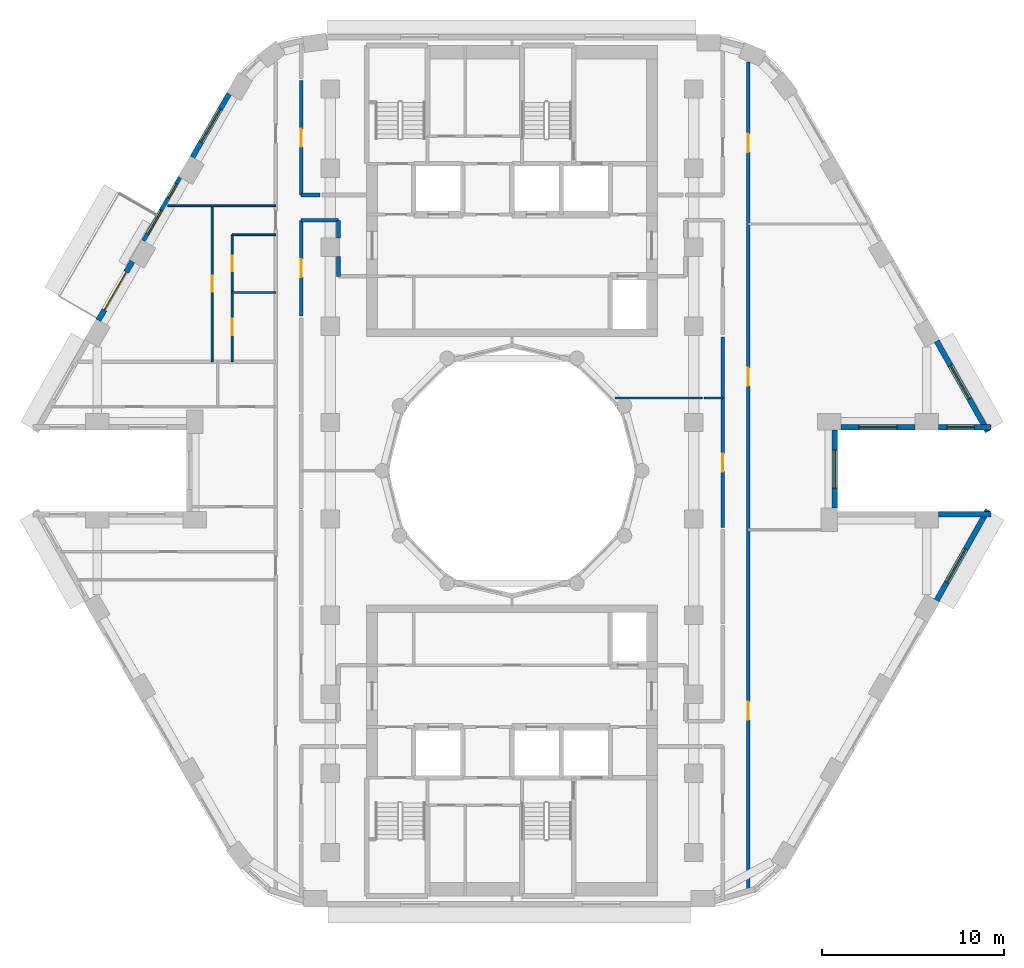
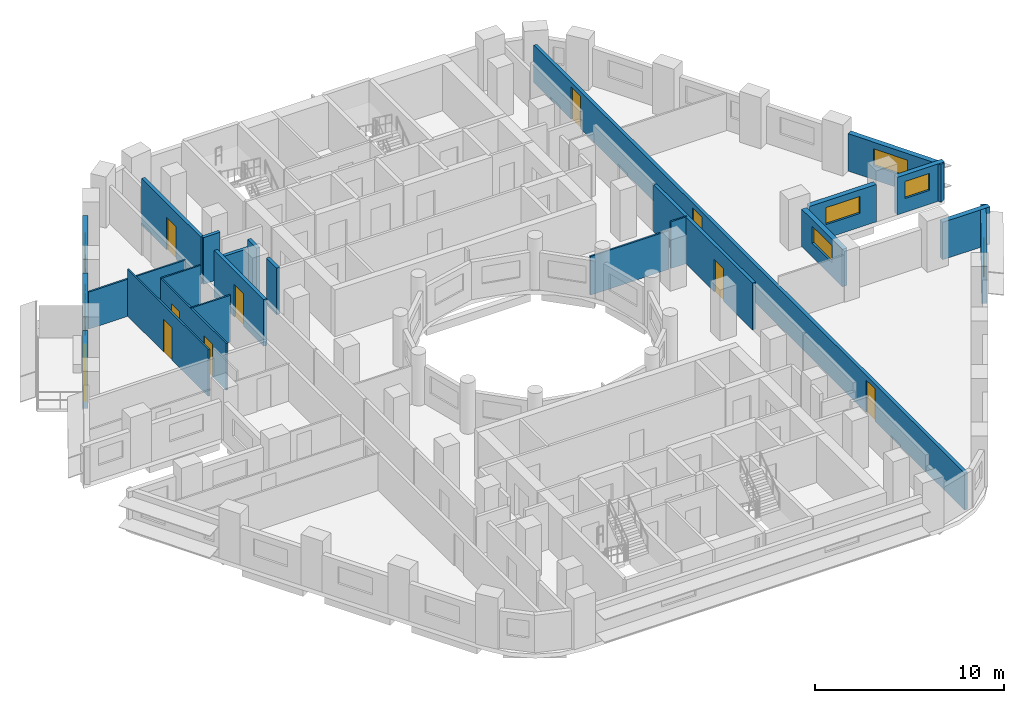
# One storey, part 6 of 13: 24 walls, 10 doors, 8 windows, 18 openings.
"""IFC4 building model written with IfcOpenShell, lengths in metres."""

from ifc_helpers import new_model, si_unit, direction, frame, frame_2d, origin, place, context, subcontext, project, spatial, rectangle, extrude, material, layer, layer_set, type_object, element, fill, save


model = new_model("IFC4")

# Units and contexts
model_context = context("Model", 3, precision=1e-05, world=origin(), true_north=direction((0.0, 1.0)))
body_context = subcontext(model_context, "Body", "Model", "MODEL_VIEW")
ifc_project = project(units=[si_unit("LENGTHUNIT", "METRE"), si_unit("AREAUNIT", "SQUARE_METRE"), si_unit("VOLUMEUNIT", "CUBIC_METRE"), si_unit("PLANEANGLEUNIT", "RADIAN"), si_unit("MASSUNIT", "GRAM", prefix="KILO")], contexts=[model_context])

# Site, building, storey
site_placement = place(None, origin())
site = spatial("IfcSite", under=ifc_project, at=site_placement, CompositionType="ELEMENT")
building_placement = place(site_placement, origin())
building = spatial("IfcBuilding", under=site, at=building_placement, Name="Nakaniwa Court", CompositionType="ELEMENT")
storey_placement = place(building_placement, frame((0.0, 0.0, 130.5)))
storey = spatial("IfcBuildingStorey", under=building, at=storey_placement, Name="L33", CompositionType="ELEMENT", Elevation=130.5)

# Wall, opening, door
ifc_material_1 = material(Name="Acoustic double stud partition")
ifc_layer_1 = layer(ifc_material_1, 0.199951171875)
ifc_layer_set_1 = layer_set([ifc_layer_1], Name="Acoustic double stud partition")
wall_type_1 = type_object("IfcWallType", Name="Acoustic double stud partition 200", PredefinedType="PARTITIONING", material=ifc_layer_set_1)
wall_1_placement = place(storey_placement, frame((91.60009765625, 76.88720703125, 0.0), z_axis=(0.0, 0.0, 1.0), x_axis=(0.0, 1.0, 0.0)))
wall_1 = element("IfcWall", 1, at=wall_1_placement, inside=storey, type_object=wall_type_1, Name="Partition PW-069", PredefinedType="PARTITIONING", context=body_context, shape_type="SweptSolid", body=[
    extrude(rectangle(XDim=10.485595703125, YDim=0.199951171875, at=frame_2d((5.24267578125, 0.0))), origin(), (0.0, 0.0, 1.0), 3.02490234375),
])
opening_1_placement = place(wall_1_placement, frame((3.05810546875, 0.0, 0.0)))
opening_1 = element("IfcOpeningElement", 2, at=opening_1_placement, cuts=wall_1, Name="Opening D-02-03", PredefinedType="OPENING", context=body_context, shape_type="SweptSolid", body=[
    extrude(rectangle(XDim=1.0, YDim=2.10009765625, at=frame_2d((0.5, 1.050048828125))), frame((0.0, 0.10986328125, 0.0), z_axis=(0.0, -1.0, 0.0), x_axis=(1.0, 0.0, 0.0)), (0.0, 0.0, 1.0), 0.219970703125),
])
ifc_material_2 = material(Name="Solid core timber door set, black veneer", Category="wood")
door_type_1 = type_object("IfcDoorType", Name="Internal door 1000", OperationType="NOTDEFINED", PredefinedType="DOOR", material=ifc_material_2)
door_1_placement = place(opening_1_placement, origin())
door_1 = element("IfcDoor", 3, at=door_1_placement, inside=storey, type_object=door_type_1, Name="Door D-02-03 L33-023", OperationType="SINGLE_SWING_RIGHT", OverallHeight=2.10009765625, OverallWidth=1.0, PredefinedType="DOOR", context=body_context, shape_type="SweptSolid", body=[
    extrude(rectangle(XDim=1.0, YDim=2.10009765625, at=frame_2d((0.5, 1.050048828125))), frame((0.0, 0.02490234375, 0.0), z_axis=(0.0, -1.0, 0.0), x_axis=(1.0, 0.0, 0.0)), (0.0, 0.0, 1.0), 0.050048828125),
])
fill(opening_1, door_1)

# Wall, openings, doors
wall_2_placement = place(storey_placement, frame((93.0, 102.498046875, 0.0), z_axis=(0.0, 0.0, 1.0), x_axis=(0.0, -1.0, 0.0)))
wall_2 = element("IfcWall", 4, at=wall_2_placement, inside=storey, type_object=wall_type_1, Name="Partition PW-077", PredefinedType="PARTITIONING", context=body_context, shape_type="SweptSolid", body=[
    extrude(rectangle(XDim=45.664794921875, YDim=0.199951171875, at=frame_2d((22.83251953125, 0.0))), origin(), (0.0, 0.0, 1.0), 2.405029296875),
])
opening_2_placement = place(wall_2_placement, frame((35.2060546875, 0.0, 0.0)))
opening_2 = element("IfcOpeningElement", 5, at=opening_2_placement, cuts=wall_2, Name="Opening D-02-02", PredefinedType="OPENING", context=body_context, shape_type="SweptSolid", body=[
    extrude(rectangle(XDim=1.0, YDim=2.10009765625, at=frame_2d((0.5, 1.050048828125))), frame((0.0, 0.10986328125, 0.0), z_axis=(0.0, -1.0, 0.0), x_axis=(1.0, 0.0, 0.0)), (0.0, 0.0, 1.0), 0.219970703125),
])
opening_3_placement = place(wall_2_placement, frame((16.83203125, 0.0, 0.0)))
opening_3 = element("IfcOpeningElement", 6, at=opening_3_placement, cuts=wall_2, Name="Opening D-02-04", PredefinedType="OPENING", context=body_context, shape_type="SweptSolid", body=[
    extrude(rectangle(XDim=1.0, YDim=2.10009765625, at=frame_2d((0.5, 1.050048828125))), frame((0.0, 0.10986328125, 0.0), z_axis=(0.0, -1.0, 0.0), x_axis=(1.0, 0.0, 0.0)), (0.0, 0.0, 1.0), 0.219970703125),
])
opening_4_placement = place(wall_2_placement, frame((3.958984375, 0.0, 0.0)))
opening_4 = element("IfcOpeningElement", 7, at=opening_4_placement, cuts=wall_2, Name="Opening D-02-05", PredefinedType="OPENING", context=body_context, shape_type="SweptSolid", body=[
    extrude(rectangle(XDim=1.0, YDim=2.10009765625, at=frame_2d((0.5, 1.050048828125))), frame((0.0, 0.10986328125, 0.0), z_axis=(0.0, -1.0, 0.0), x_axis=(1.0, 0.0, 0.0)), (0.0, 0.0, 1.0), 0.219970703125),
])
door_2_placement = place(opening_2_placement, origin())
door_2 = element("IfcDoor", 8, at=door_2_placement, inside=storey, type_object=door_type_1, Name="Door D-02-02 L33-022", OperationType="SINGLE_SWING_LEFT", OverallHeight=2.10009765625, OverallWidth=1.0, PredefinedType="DOOR", context=body_context, shape_type="SweptSolid", body=[
    extrude(rectangle(XDim=1.0, YDim=2.10009765625, at=frame_2d((0.5, 1.050048828125))), frame((0.0, 0.02490234375, 0.0), z_axis=(0.0, -1.0, 0.0), x_axis=(1.0, 0.0, 0.0)), (0.0, 0.0, 1.0), 0.050048828125),
])
fill(opening_2, door_2)
door_3_placement = place(opening_3_placement, origin())
door_3 = element("IfcDoor", 9, at=door_3_placement, inside=storey, type_object=door_type_1, Name="Door D-02-04 L33-024", OperationType="SINGLE_SWING_LEFT", OverallHeight=2.10009765625, OverallWidth=1.0, PredefinedType="DOOR", context=body_context, shape_type="SweptSolid", body=[
    extrude(rectangle(XDim=1.0, YDim=2.10009765625, at=frame_2d((0.5, 1.050048828125))), frame((0.0, 0.02490234375, 0.0), z_axis=(0.0, -1.0, 0.0), x_axis=(1.0, 0.0, 0.0)), (0.0, 0.0, 1.0), 0.050048828125),
])
fill(opening_3, door_3)
door_4_placement = place(opening_4_placement, origin())
door_4 = element("IfcDoor", 10, at=door_4_placement, inside=storey, type_object=door_type_1, Name="Door D-02-05 L33-025", OperationType="SINGLE_SWING_RIGHT", OverallHeight=2.10009765625, OverallWidth=1.0, PredefinedType="DOOR", context=body_context, shape_type="SweptSolid", body=[
    extrude(rectangle(XDim=1.0, YDim=2.10009765625, at=frame_2d((0.5, 1.050048828125))), frame((0.0, 0.02490234375, 0.0), z_axis=(0.0, -1.0, 0.0), x_axis=(1.0, 0.0, 0.0)), (0.0, 0.0, 1.0), 0.050048828125),
])
fill(opening_4, door_4)

# Walls
wall_3_placement = place(storey_placement, frame((68.39990234375, 93.77490234375, 0.0), z_axis=(0.0, 0.0, 1.0), x_axis=(1.0, 0.0, 0.0)))
element("IfcWall", 11, at=wall_3_placement, inside=storey, type_object=wall_type_1, Name="Partition PW-086", PredefinedType="PARTITIONING", context=body_context, shape_type="SweptSolid", body=[
    extrude(rectangle(XDim=2.050048828125, YDim=0.199951171875, at=frame_2d((1.02490234375, 0.0))), origin(), (0.0, 0.0, 1.0), 2.5048828125),
])
wall_4_placement = place(storey_placement, frame((68.39990234375, 95.175048828125, 0.0), z_axis=(0.0, 0.0, 1.0), x_axis=(1.0, 0.0, 0.0)))
element("IfcWall", 12, at=wall_4_placement, inside=storey, type_object=wall_type_1, Name="Partition PW-090", PredefinedType="PARTITIONING", context=body_context, shape_type="SweptSolid", body=[
    extrude(rectangle(XDim=1.02294921875, YDim=0.199951171875, at=frame_2d((0.511474609375, 0.0))), origin(), (0.0, 0.0, 1.0), 3.02490234375),
])

# Wall, opening, door
wall_5_placement = place(storey_placement, frame((68.39990234375, 93.77490234375, 0.0), z_axis=(0.0, 0.0, 1.0), x_axis=(0.0, -1.0, 0.0)))
wall_5 = element("IfcWall", 13, at=wall_5_placement, inside=storey, type_object=wall_type_1, Name="Partition PW-100", PredefinedType="PARTITIONING", context=body_context, shape_type="SweptSolid", body=[
    extrude(rectangle(XDim=5.247802734375, YDim=0.199951171875, at=frame_2d((2.6240234375, 0.0))), origin(), (0.0, 0.0, 1.0), 3.02490234375),
])
opening_5_placement = place(wall_5_placement, frame((2.123046875, 0.0, 0.0)))
opening_5 = element("IfcOpeningElement", 14, at=opening_5_placement, cuts=wall_5, Name="Opening D-02-09", PredefinedType="OPENING", context=body_context, shape_type="SweptSolid", body=[
    extrude(rectangle(XDim=1.0, YDim=2.10009765625, at=frame_2d((0.5, 1.050048828125))), frame((0.0, 0.10986328125, 0.0), z_axis=(0.0, -1.0, 0.0), x_axis=(1.0, 0.0, 0.0)), (0.0, 0.0, 1.0), 0.219970703125),
])
door_5_placement = place(opening_5_placement, origin())
door_5 = element("IfcDoor", 15, at=door_5_placement, inside=storey, type_object=door_type_1, Name="Door D-02-09 L33-034", OperationType="SINGLE_SWING_LEFT", OverallHeight=2.10009765625, OverallWidth=1.0, PredefinedType="DOOR", context=body_context, shape_type="SweptSolid", body=[
    extrude(rectangle(XDim=1.0, YDim=2.10009765625, at=frame_2d((0.5, 1.050048828125))), frame((0.0, 0.02490234375, 0.0), z_axis=(0.0, -1.0, 0.0), x_axis=(1.0, 0.0, 0.0)), (0.0, 0.0, 1.0), 0.050048828125),
])
fill(opening_5, door_5)

wall_6_placement = place(storey_placement, frame((68.39990234375, 101.462890625, 0.0), z_axis=(0.0, 0.0, 1.0), x_axis=(0.0, -1.0, 0.0)))
wall_6 = element("IfcWall", 16, at=wall_6_placement, inside=storey, type_object=wall_type_1, Name="Partition PW-101", PredefinedType="PARTITIONING", context=body_context, shape_type="SweptSolid", body=[
    extrude(rectangle(XDim=6.287841796875, YDim=0.199951171875, at=frame_2d((3.14404296875, 0.0))), origin(), (0.0, 0.0, 1.0), 3.02490234375),
])
opening_6_placement = place(wall_6_placement, frame((2.64501953125, 0.0, 0.0)))
opening_6 = element("IfcOpeningElement", 17, at=opening_6_placement, cuts=wall_6, Name="Opening D-02-10", PredefinedType="OPENING", context=body_context, shape_type="SweptSolid", body=[
    extrude(rectangle(XDim=1.0, YDim=2.10009765625, at=frame_2d((0.5, 1.050048828125))), frame((0.0, 0.10986328125, 0.0), z_axis=(0.0, -1.0, 0.0), x_axis=(1.0, 0.0, 0.0)), (0.0, 0.0, 1.0), 0.219970703125),
])
door_6_placement = place(opening_6_placement, origin())
door_6 = element("IfcDoor", 18, at=door_6_placement, inside=storey, type_object=door_type_1, Name="Door D-02-10 L33-039", OperationType="SINGLE_SWING_RIGHT", OverallHeight=2.10009765625, OverallWidth=1.0, PredefinedType="DOOR", context=body_context, shape_type="SweptSolid", body=[
    extrude(rectangle(XDim=1.0, YDim=2.10009765625, at=frame_2d((0.5, 1.050048828125))), frame((0.0, 0.02490234375, 0.0), z_axis=(0.0, -1.0, 0.0), x_axis=(1.0, 0.0, 0.0)), (0.0, 0.0, 1.0), 0.050048828125),
])
fill(opening_6, door_6)

# Walls
wall_7_placement = place(storey_placement, frame((70.449951171875, 90.699951171875, 0.0), z_axis=(0.0, 0.0, 1.0), x_axis=(0.0, 1.0, 0.0)))
element("IfcWall", 19, at=wall_7_placement, inside=storey, type_object=wall_type_1, Name="Partition PW-106", PredefinedType="PARTITIONING", context=body_context, shape_type="SweptSolid", body=[
    extrude(rectangle(XDim=1.082763671875, YDim=0.199951171875, at=frame_2d((0.54150390625, 0.0))), origin(), (0.0, 0.0, 1.0), 3.02490234375),
])
wall_8_placement = place(storey_placement, frame((70.449951171875, 92.817138671875, 0.0), z_axis=(0.0, 0.0, 1.0), x_axis=(0.0, 1.0, 0.0)))
element("IfcWall", 20, at=wall_8_placement, inside=storey, type_object=wall_type_1, Name="Partition PW-107", PredefinedType="PARTITIONING", context=body_context, shape_type="SweptSolid", body=[
    extrude(rectangle(XDim=0.957763671875, YDim=0.199951171875, at=frame_2d((0.47900390625, 0.0))), origin(), (0.0, 0.0, 1.0), 3.02490234375),
])

# Wall, opening, window
ifc_material_3 = material(Name="Charcoal ceramic cladding")
ifc_layer_2 = layer(ifc_material_3, 0.02, Name="Ceramic cladding")
ifc_material_4 = material(Name="Ventilated air cavity")
ifc_layer_3 = layer(ifc_material_4, 0.04, ventilated=True, Name="Ventilated cavity")
ifc_material_5 = material(Name="Mineral wool insulation")
ifc_layer_4 = layer(ifc_material_5, 0.1, Name="Insulation")
ifc_material_6 = material(Name="Cement bonded sheathing board")
ifc_layer_5 = layer(ifc_material_6, 0.012, Name="Sheathing")
ifc_material_7 = material(Name="Cold-formed galvanised stud frame with mineral wool infill")
ifc_layer_6 = layer(ifc_material_7, 0.1, Name="Stud frame")
ifc_material_8 = material(Name="Fire-rated gypsum plasterboard lining")
ifc_layer_7 = layer(ifc_material_8, 0.028, Name="Lining")
ifc_layer_set_2 = layer_set([ifc_layer_2, ifc_layer_3, ifc_layer_4, ifc_layer_5, ifc_layer_6, ifc_layer_7], Name="Charcoal ceramic faced external wall system")
wall_type_2 = type_object("IfcWallType", Name="Black ceramic faced external wall 300", PredefinedType="SOLIDWALL", material=ifc_layer_set_2)
wall_9_placement = place(storey_placement, frame((98.1044921875, 82.39990234375, 0.0), z_axis=(0.0, 0.0, 1.0), x_axis=(1.0, 0.0, 0.0)))
wall_9 = element("IfcWall", 21, at=wall_9_placement, inside=storey, type_object=wall_type_2, Name="L33 external wall 00", PredefinedType="SOLIDWALL", context=body_context, shape_type="SweptSolid", body=[
    extrude(rectangle(XDim=4.072509765625, YDim=0.300048828125, at=frame_2d((2.0361328125, 0.0))), origin(), (0.0, 0.0, 1.0), 2.425048828125),
])
opening_7_placement = place(wall_9_placement, frame((0.986083984375, 0.0, 0.89990234375)))
opening_7 = element("IfcOpeningElement", 22, at=opening_7_placement, cuts=wall_9, Name="Opening W7.01", PredefinedType="OPENING", context=body_context, shape_type="SweptSolid", body=[
    extrude(rectangle(XDim=2.10009765625, YDim=1.10009765625, at=frame_2d((1.050048828125, 0.550048828125))), frame((0.0, 0.159912109375, 0.0), z_axis=(0.0, -1.0, 0.0), x_axis=(1.0, 0.0, 0.0)), (0.0, 0.0, 1.0), 0.320068359375),
])
ifc_material_9 = material(Name="Black anodised aluminium frame with dark low-E laminated double glazing", Category="aluminium")
window_type_1 = type_object("IfcWindowType", Name="Dark glass window 2100x1100 sill 900", PartitioningType="SINGLE_PANEL", PredefinedType="WINDOW", material=ifc_material_9)
window_1_placement = place(opening_7_placement, origin())
window_1 = element("IfcWindow", 23, at=window_1_placement, inside=storey, type_object=window_type_1, Name="L33 habitable room window 00-0", OverallHeight=1.10009765625, OverallWidth=2.10009765625, PartitioningType="SINGLE_PANEL", PredefinedType="WINDOW", context=body_context, shape_type="SweptSolid", body=[
    extrude(rectangle(XDim=2.10009765625, YDim=1.10009765625, at=frame_2d((1.050048828125, 0.550048828125))), frame((0.0, 0.030029296875, 0.0), z_axis=(0.0, -1.0, 0.0), x_axis=(1.0, 0.0, 0.0)), (0.0, 0.0, 1.0), 0.06005859375),
])
fill(opening_7, window_1)

wall_10_placement = place(storey_placement, frame((103.468994140625, 82.39990234375, 0.0), z_axis=(0.0, 0.0, 1.0), x_axis=(1.0, 0.0, 0.0)))
wall_10 = element("IfcWall", 24, at=wall_10_placement, inside=storey, type_object=wall_type_2, Name="L33 external wall 01", PredefinedType="SOLIDWALL", context=body_context, shape_type="SweptSolid", body=[
    extrude(rectangle(XDim=2.8876953125, YDim=0.300048828125, at=frame_2d((1.44384765625, 0.0))), origin(), (0.0, 0.0, 1.0), 2.425048828125),
])
opening_8_placement = place(wall_10_placement, frame((0.468994140625, 0.0, 0.89990234375)))
opening_8 = element("IfcOpeningElement", 25, at=opening_8_placement, cuts=wall_10, Name="Opening W5.02", PredefinedType="OPENING", context=body_context, shape_type="SweptSolid", body=[
    extrude(rectangle(XDim=1.5, YDim=1.10009765625, at=frame_2d((0.75, 0.550048828125))), frame((0.0, 0.159912109375, 0.0), z_axis=(0.0, -1.0, 0.0), x_axis=(1.0, 0.0, 0.0)), (0.0, 0.0, 1.0), 0.320068359375),
])
window_type_2 = type_object("IfcWindowType", Name="Dark glass window 1500x1100 sill 900", PartitioningType="SINGLE_PANEL", PredefinedType="WINDOW", material=ifc_material_9)
window_2_placement = place(opening_8_placement, origin())
window_2 = element("IfcWindow", 26, at=window_2_placement, inside=storey, type_object=window_type_2, Name="L33 habitable room window 01-0", OverallHeight=1.10009765625, OverallWidth=1.5, PartitioningType="SINGLE_PANEL", PredefinedType="WINDOW", context=body_context, shape_type="SweptSolid", body=[
    extrude(rectangle(XDim=1.5, YDim=1.10009765625, at=frame_2d((0.75, 0.550048828125))), frame((0.0, 0.030029296875, 0.0), z_axis=(0.0, -1.0, 0.0), x_axis=(1.0, 0.0, 0.0)), (0.0, 0.0, 1.0), 0.06005859375),
])
fill(opening_8, window_2)

wall_11_placement = place(storey_placement, frame((106.18603515625, 82.1533203125, 0.0), z_axis=(0.0, 0.0, 1.0), x_axis=(-0.492498306264, 0.87031340236, 0.0)))
wall_11 = element("IfcWall", 27, at=wall_11_placement, inside=storey, type_object=wall_type_2, Name="L33 external wall 02", PredefinedType="SOLIDWALL", context=body_context, shape_type="SweptSolid", body=[
    extrude(rectangle(XDim=5.7265625, YDim=0.300048828125, at=frame_2d((2.86328125, 0.0))), origin(), (0.0, 0.0, 1.0), 2.425048828125),
])
opening_9_placement = place(wall_11_placement, frame((2.076416015625, 0.0, 0.89990234375)))
opening_9 = element("IfcOpeningElement", 28, at=opening_9_placement, cuts=wall_11, Name="Opening W7.03", PredefinedType="OPENING", context=body_context, shape_type="SweptSolid", body=[
    extrude(rectangle(XDim=2.10009765625, YDim=1.10009765625, at=frame_2d((1.050048828125, 0.550048828125))), frame((0.0, 0.159912109375, 0.0), z_axis=(0.0, -1.0, 0.0), x_axis=(1.0, 0.0, 0.0)), (0.0, 0.0, 1.0), 0.320068359375),
])
window_3_placement = place(opening_9_placement, origin())
window_3 = element("IfcWindow", 29, at=window_3_placement, inside=storey, type_object=window_type_1, Name="L33 habitable room window 02-0", OverallHeight=1.10009765625, OverallWidth=2.10009765625, PartitioningType="SINGLE_PANEL", PredefinedType="WINDOW", context=body_context, shape_type="SweptSolid", body=[
    extrude(rectangle(XDim=2.10009765625, YDim=1.10009765625, at=frame_2d((1.050048828125, 0.550048828125))), frame((0.0, 0.030029296875, 0.0), z_axis=(0.0, -1.0, 0.0), x_axis=(1.0, 0.0, 0.0)), (0.0, 0.0, 1.0), 0.06005859375),
])
fill(opening_9, window_3)

wall_12_placement = place(storey_placement, frame((64.434814453125, 100.739990234375, 0.0), z_axis=(0.0, 0.0, 1.0), x_axis=(-0.500031546601, -0.86600718958, 0.0)))
wall_12 = element("IfcWall", 30, at=wall_12_placement, inside=storey, type_object=wall_type_2, Name="L33 external wall 11", PredefinedType="SOLIDWALL", context=body_context, shape_type="SweptSolid", body=[
    extrude(rectangle(XDim=4.033935546875, YDim=0.300048828125, at=frame_2d((2.01708984375, 0.0))), origin(), (0.0, 0.0, 1.0), 2.425048828125),
])
opening_10_placement = place(wall_12_placement, frame((0.967041015625, 0.0, 0.89990234375)))
opening_10 = element("IfcOpeningElement", 31, at=opening_10_placement, cuts=wall_12, Name="Opening W7.12", PredefinedType="OPENING", context=body_context, shape_type="SweptSolid", body=[
    extrude(rectangle(XDim=2.10009765625, YDim=1.10009765625, at=frame_2d((1.050048828125, 0.550048828125))), frame((0.0, 0.159912109375, 0.0), z_axis=(0.0, -1.0, 0.0), x_axis=(1.0, 0.0, 0.0)), (0.0, 0.0, 1.0), 0.320068359375),
])
window_4_placement = place(opening_10_placement, origin())
window_4 = element("IfcWindow", 32, at=window_4_placement, inside=storey, type_object=window_type_1, Name="L33 habitable room window 11-0", OverallHeight=1.10009765625, OverallWidth=2.10009765625, PartitioningType="SINGLE_PANEL", PredefinedType="WINDOW", context=body_context, shape_type="SweptSolid", body=[
    extrude(rectangle(XDim=2.10009765625, YDim=1.10009765625, at=frame_2d((1.050048828125, 0.550048828125))), frame((0.0, 0.030029296875, 0.0), z_axis=(0.0, -1.0, 0.0), x_axis=(1.0, 0.0, 0.0)), (0.0, 0.0, 1.0), 0.06005859375),
])
fill(opening_10, window_4)

# Wall, openings, windows
wall_13_placement = place(storey_placement, frame((61.771728515625, 96.127685546875, 0.0), z_axis=(0.0, 0.0, 1.0), x_axis=(-0.500031546601, -0.86600718958, 0.0)))
wall_13 = element("IfcWall", 33, at=wall_13_placement, inside=storey, type_object=wall_type_2, Name="L33 external wall 12", PredefinedType="SOLIDWALL", context=body_context, shape_type="SweptSolid", body=[
    extrude(rectangle(XDim=4.033935546875, YDim=0.300048828125, at=frame_2d((2.01708984375, 0.0))), origin(), (0.0, 0.0, 1.0), 2.425048828125),
])
opening_11_placement = place(wall_13_placement, frame((0.4052734375, 0.0, 0.89990234375)))
opening_11 = element("IfcOpeningElement", 34, at=opening_11_placement, cuts=wall_13, Name="Opening W9.13", PredefinedType="OPENING", context=body_context, shape_type="SweptSolid", body=[
    extrude(rectangle(XDim=0.89990234375, YDim=1.10009765625, at=frame_2d((0.449951171875, 0.550048828125))), frame((0.0, 0.159912109375, 0.0), z_axis=(0.0, -1.0, 0.0), x_axis=(1.0, 0.0, 0.0)), (0.0, 0.0, 1.0), 0.320068359375),
])
opening_12_placement = place(wall_13_placement, frame((2.09765625, 0.0, 0.89990234375)))
opening_12 = element("IfcOpeningElement", 35, at=opening_12_placement, cuts=wall_13, Name="Opening W5.14", PredefinedType="OPENING", context=body_context, shape_type="SweptSolid", body=[
    extrude(rectangle(XDim=1.5, YDim=1.10009765625, at=frame_2d((0.75, 0.550048828125))), frame((0.0, 0.159912109375, 0.0), z_axis=(0.0, -1.0, 0.0), x_axis=(1.0, 0.0, 0.0)), (0.0, 0.0, 1.0), 0.320068359375),
])
window_5_placement = place(opening_12_placement, origin())
window_5 = element("IfcWindow", 36, at=window_5_placement, inside=storey, type_object=window_type_2, Name="L33 living window 12-1", OverallHeight=1.10009765625, OverallWidth=1.5, PartitioningType="SINGLE_PANEL", PredefinedType="WINDOW", context=body_context, shape_type="SweptSolid", body=[
    extrude(rectangle(XDim=1.5, YDim=1.10009765625, at=frame_2d((0.75, 0.550048828125))), frame((0.0, 0.030029296875, 0.0), z_axis=(0.0, -1.0, 0.0), x_axis=(1.0, 0.0, 0.0)), (0.0, 0.0, 1.0), 0.06005859375),
])
fill(opening_12, window_5)
window_type_3 = type_object("IfcWindowType", Name="Dark glass window 900x1100 sill 900", PartitioningType="SINGLE_PANEL", PredefinedType="WINDOW", material=ifc_material_9)
window_6_placement = place(opening_11_placement, origin())
window_6 = element("IfcWindow", 37, at=window_6_placement, inside=storey, type_object=window_type_3, Name="L33 habitable room window 12-0", OverallHeight=1.10009765625, OverallWidth=0.89990234375, PartitioningType="SINGLE_PANEL", PredefinedType="WINDOW", context=body_context, shape_type="SweptSolid", body=[
    extrude(rectangle(XDim=0.89990234375, YDim=1.10009765625, at=frame_2d((0.449951171875, 0.550048828125))), frame((0.0, 0.030029296875, 0.0), z_axis=(0.0, -1.0, 0.0), x_axis=(1.0, 0.0, 0.0)), (0.0, 0.0, 1.0), 0.06005859375),
])
fill(opening_11, window_6)

# Wall, opening, door
wall_14_placement = place(storey_placement, frame((59.108642578125, 91.515380859375, 0.0), z_axis=(0.0, 0.0, 1.0), x_axis=(-0.499933594891, -0.866063739398, 0.0)))
wall_14 = element("IfcWall", 38, at=wall_14_placement, inside=storey, type_object=wall_type_2, Name="L33 external wall 13", PredefinedType="SOLIDWALL", context=body_context, shape_type="SweptSolid", body=[
    extrude(rectangle(XDim=3.73681640625, YDim=0.300048828125, at=frame_2d((1.868408203125, 0.0))), origin(), (0.0, 0.0, 1.0), 2.425048828125),
])
opening_13_placement = place(wall_14_placement, frame((0.66845703125, 0.0, 0.0)))
opening_13 = element("IfcOpeningElement", 39, at=opening_13_placement, cuts=wall_14, Name="Opening XD13.01", PredefinedType="OPENING", context=body_context, shape_type="SweptSolid", body=[
    extrude(rectangle(XDim=2.39990234375, YDim=2.0, at=frame_2d((1.199951171875, 1.0))), frame((0.0, 0.159912109375, 0.0), z_axis=(0.0, -1.0, 0.0), x_axis=(1.0, 0.0, 0.0)), (0.0, 0.0, 1.0), 0.320068359375),
])
ifc_material_10 = material(Name="Black powder-coated aluminium frame with dark laminated glass", Category="aluminium")
door_type_2 = type_object("IfcDoorType", Name="Balcony sliding door 2400x2000", OperationType="DOUBLE_DOOR_SLIDING", PredefinedType="DOOR", material=ifc_material_10)
door_7_placement = place(opening_13_placement, origin())
door_7 = element("IfcDoor", 40, at=door_7_placement, inside=storey, type_object=door_type_2, Name="L33 balcony sliding door 01", OperationType="DOUBLE_DOOR_SLIDING", OverallHeight=2.0, OverallWidth=2.39990234375, PredefinedType="DOOR", context=body_context, shape_type="SweptSolid", body=[
    extrude(rectangle(XDim=2.39990234375, YDim=2.0, at=frame_2d((1.199951171875, 1.0))), frame((0.0, 0.02490234375, 0.0), z_axis=(0.0, -1.0, 0.0), x_axis=(1.0, 0.0, 0.0)), (0.0, 0.0, 1.0), 0.050048828125),
])
fill(opening_13, door_7)

# Wall, opening, window
wall_15_placement = place(storey_placement, frame((103.36572265625, 72.86279296875, 0.0), z_axis=(0.0, 0.0, 1.0), x_axis=(0.492498306264, 0.87031340236, 0.0)))
wall_15 = element("IfcWall", 41, at=wall_15_placement, inside=storey, type_object=wall_type_2, Name="L33 external wall 32", PredefinedType="SOLIDWALL", context=body_context, shape_type="SweptSolid", body=[
    extrude(rectangle(XDim=5.7265625, YDim=0.300048828125, at=frame_2d((2.86328125, 0.0))), origin(), (0.0, 0.0, 1.0), 2.425048828125),
])
opening_14_placement = place(wall_15_placement, frame((1.147705078125, 0.0, 0.89990234375)))
opening_14 = element("IfcOpeningElement", 42, at=opening_14_placement, cuts=wall_15, Name="Opening W7.33", PredefinedType="OPENING", context=body_context, shape_type="SweptSolid", body=[
    extrude(rectangle(XDim=2.10009765625, YDim=1.10009765625, at=frame_2d((1.050048828125, 0.550048828125))), frame((0.0, 0.159912109375, 0.0), z_axis=(0.0, -1.0, 0.0), x_axis=(1.0, 0.0, 0.0)), (0.0, 0.0, 1.0), 0.320068359375),
])
window_7_placement = place(opening_14_placement, origin())
window_7 = element("IfcWindow", 43, at=window_7_placement, inside=storey, type_object=window_type_1, Name="L33 habitable room window 32-0", OverallHeight=1.10009765625, OverallWidth=2.10009765625, PartitioningType="SINGLE_PANEL", PredefinedType="WINDOW", context=body_context, shape_type="SweptSolid", body=[
    extrude(rectangle(XDim=2.10009765625, YDim=1.10009765625, at=frame_2d((1.050048828125, 0.550048828125))), frame((0.0, 0.030029296875, 0.0), z_axis=(0.0, -1.0, 0.0), x_axis=(1.0, 0.0, 0.0)), (0.0, 0.0, 1.0), 0.06005859375),
])
fill(opening_14, window_7)

# Wall
wall_16_placement = place(storey_placement, frame((106.356689453125, 77.60009765625, 0.0), z_axis=(0.0, 0.0, 1.0), x_axis=(-1.0, 0.0, 0.0)))
element("IfcWall", 44, at=wall_16_placement, inside=storey, type_object=wall_type_2, Name="L33 external wall 33", PredefinedType="SOLIDWALL", context=body_context, shape_type="SweptSolid", body=[
    extrude(rectangle(XDim=2.8876953125, YDim=0.300048828125, at=frame_2d((1.44384765625, 0.0))), origin(), (0.0, 0.0, 1.0), 2.425048828125),
])

# Wall, opening, window
wall_17_placement = place(storey_placement, frame((97.75830078125, 77.946044921875, 0.0), z_axis=(0.0, 0.0, 1.0), x_axis=(0.0, 1.0, 0.0)))
wall_17 = element("IfcWall", 45, at=wall_17_placement, inside=storey, type_object=wall_type_2, Name="L33 external wall 35", PredefinedType="SOLIDWALL", context=body_context, shape_type="SweptSolid", body=[
    extrude(rectangle(XDim=4.307861328125, YDim=0.300048828125, at=frame_2d((2.15380859375, 0.0))), origin(), (0.0, 0.0, 1.0), 2.425048828125),
])
opening_15_placement = place(wall_17_placement, frame((1.10400390625, 0.0, 0.89990234375)))
opening_15 = element("IfcOpeningElement", 46, at=opening_15_placement, cuts=wall_17, Name="Opening W7.34", PredefinedType="OPENING", context=body_context, shape_type="SweptSolid", body=[
    extrude(rectangle(XDim=2.10009765625, YDim=1.10009765625, at=frame_2d((1.050048828125, 0.550048828125))), frame((0.0, 0.159912109375, 0.0), z_axis=(0.0, -1.0, 0.0), x_axis=(1.0, 0.0, 0.0)), (0.0, 0.0, 1.0), 0.320068359375),
])
window_8_placement = place(opening_15_placement, origin())
window_8 = element("IfcWindow", 47, at=window_8_placement, inside=storey, type_object=window_type_1, Name="L33 habitable room window 35-0", OverallHeight=1.10009765625, OverallWidth=2.10009765625, PartitioningType="SINGLE_PANEL", PredefinedType="WINDOW", context=body_context, shape_type="SweptSolid", body=[
    extrude(rectangle(XDim=2.10009765625, YDim=1.10009765625, at=frame_2d((1.050048828125, 0.550048828125))), frame((0.0, 0.030029296875, 0.0), z_axis=(0.0, -1.0, 0.0), x_axis=(1.0, 0.0, 0.0)), (0.0, 0.0, 1.0), 0.06005859375),
])
fill(opening_15, window_8)

# Walls
ifc_material_11 = material(Name="Single stud plasterboard partition")
ifc_layer_8 = layer(ifc_material_11, 0.10009765625)
ifc_layer_set_3 = layer_set([ifc_layer_8], Name="Single stud plasterboard partition")
wall_type_3 = type_object("IfcWallType", Name="Single stud plasterboard partition 100", PredefinedType="PARTITIONING", material=ifc_layer_set_3)
wall_18_placement = place(storey_placement, frame((85.67333984375, 84.0, 0.0), z_axis=(0.0, 0.0, 1.0), x_axis=(1.0, 0.0, 0.0)))
element("IfcWall", 48, at=wall_18_placement, inside=storey, type_object=wall_type_3, Name="Partition PW-113", PredefinedType="PARTITIONING", context=body_context, shape_type="SweptSolid", body=[
    extrude(rectangle(XDim=4.78662109375, YDim=0.10009765625, at=frame_2d((2.393310546875, 0.0))), origin(), (0.0, 0.0, 1.0), 2.5048828125),
])
wall_19_placement = place(storey_placement, frame((90.580078125, 84.0, 0.0), z_axis=(0.0, 0.0, 1.0), x_axis=(1.0, 0.0, 0.0)))
element("IfcWall", 49, at=wall_19_placement, inside=storey, type_object=wall_type_3, Name="Partition PW-114", PredefinedType="PARTITIONING", context=body_context, shape_type="SweptSolid", body=[
    extrude(rectangle(XDim=1.01904296875, YDim=0.10009765625, at=frame_2d((0.509521484375, 0.0))), origin(), (0.0, 0.0, 1.0), 3.02490234375),
])
wall_20_placement = place(storey_placement, frame((64.59912109375, 89.80908203125, 0.0), z_axis=(0.0, 0.0, 1.0), x_axis=(1.0, 0.0, 0.0)))
element("IfcWall", 50, at=wall_20_placement, inside=storey, type_object=wall_type_3, Name="Partition PW-123", PredefinedType="PARTITIONING", context=body_context, shape_type="SweptSolid", body=[
    extrude(rectangle(XDim=2.39990234375, YDim=0.10009765625, at=frame_2d((1.199951171875, 0.0))), origin(), (0.0, 0.0, 1.0), 3.02490234375),
])

# Wall, openings, doors
wall_21_placement = place(storey_placement, frame((64.59912109375, 92.983154296875, 0.0), z_axis=(0.0, 0.0, 1.0), x_axis=(0.0, -1.0, 0.0)))
wall_21 = element("IfcWall", 51, at=wall_21_placement, inside=storey, type_object=wall_type_3, Name="Partition PW-124", PredefinedType="PARTITIONING", context=body_context, shape_type="SweptSolid", body=[
    extrude(rectangle(XDim=6.983154296875, YDim=0.10009765625, at=frame_2d((3.49169921875, 0.0))), origin(), (0.0, 0.0, 1.0), 3.02490234375),
])
opening_16_placement = place(wall_21_placement, frame((4.62890625, 0.0, 0.0)))
opening_16 = element("IfcOpeningElement", 52, at=opening_16_placement, cuts=wall_21, Name="Opening D-33-04", PredefinedType="OPENING", context=body_context, shape_type="SweptSolid", body=[
    extrude(rectangle(XDim=0.89990234375, YDim=2.10009765625, at=frame_2d((0.449951171875, 1.050048828125))), frame((0.0, 0.06005859375, 0.0), z_axis=(0.0, -1.0, 0.0), x_axis=(1.0, 0.0, 0.0)), (0.0, 0.0, 1.0), 0.1201171875),
])
opening_17_placement = place(wall_21_placement, frame((1.162109375, 0.0, 0.0)))
opening_17 = element("IfcOpeningElement", 53, at=opening_17_placement, cuts=wall_21, Name="Opening D-03-02", PredefinedType="OPENING", context=body_context, shape_type="SweptSolid", body=[
    extrude(rectangle(XDim=0.85009765625, YDim=2.10009765625, at=frame_2d((0.425048828125, 1.050048828125))), frame((0.0, 0.06005859375, 0.0), z_axis=(0.0, -1.0, 0.0), x_axis=(1.0, 0.0, 0.0)), (0.0, 0.0, 1.0), 0.1201171875),
])
ifc_material_12 = material(Name="Moisture sealed timber door set", Category="wood")
door_type_3 = type_object("IfcDoorType", Name="Bathroom door 850", OperationType="NOTDEFINED", PredefinedType="DOOR", material=ifc_material_12)
door_8_placement = place(opening_17_placement, origin())
door_8 = element("IfcDoor", 54, at=door_8_placement, inside=storey, type_object=door_type_3, Name="Door D-03-02 L33-037", OperationType="SINGLE_SWING_RIGHT", OverallHeight=2.10009765625, OverallWidth=0.85009765625, PredefinedType="DOOR", context=body_context, shape_type="SweptSolid", body=[
    extrude(rectangle(XDim=0.85009765625, YDim=2.10009765625, at=frame_2d((0.425048828125, 1.050048828125))), frame((0.0, 0.02490234375, 0.0), z_axis=(0.0, -1.0, 0.0), x_axis=(1.0, 0.0, 0.0)), (0.0, 0.0, 1.0), 0.050048828125),
])
fill(opening_17, door_8)
door_type_4 = type_object("IfcDoorType", Name="Internal door 900", OperationType="NOTDEFINED", PredefinedType="DOOR", material=ifc_material_2)
door_9_placement = place(opening_16_placement, origin())
door_9 = element("IfcDoor", 55, at=door_9_placement, inside=storey, type_object=door_type_4, Name="Door D-33-04 L33-036", OperationType="SINGLE_SWING_LEFT", OverallHeight=2.10009765625, OverallWidth=0.89990234375, PredefinedType="DOOR", context=body_context, shape_type="SweptSolid", body=[
    extrude(rectangle(XDim=0.89990234375, YDim=2.10009765625, at=frame_2d((0.449951171875, 1.050048828125))), frame((0.0, 0.02490234375, 0.0), z_axis=(0.0, -1.0, 0.0), x_axis=(1.0, 0.0, 0.0)), (0.0, 0.0, 1.0), 0.050048828125),
])
fill(opening_16, door_9)

# Wall
wall_22_placement = place(storey_placement, frame((64.59912109375, 92.98291015625, 0.0), z_axis=(0.0, 0.0, 1.0), x_axis=(1.0, 0.0, 0.0)))
element("IfcWall", 56, at=wall_22_placement, inside=storey, type_object=wall_type_3, Name="Partition PW-125", PredefinedType="PARTITIONING", context=body_context, shape_type="SweptSolid", body=[
    extrude(rectangle(XDim=2.39990234375, YDim=0.10009765625, at=frame_2d((1.199951171875, 0.0))), origin(), (0.0, 0.0, 1.0), 3.02490234375),
])

# Wall, opening, door
wall_23_placement = place(storey_placement, frame((63.4990234375, 86.0, 0.0), z_axis=(0.0, 0.0, 1.0), x_axis=(0.0, 1.0, 0.0)))
wall_23 = element("IfcWall", 57, at=wall_23_placement, inside=storey, type_object=wall_type_3, Name="Partition PW-126", PredefinedType="PARTITIONING", context=body_context, shape_type="SweptSolid", body=[
    extrude(rectangle(XDim=8.583251953125, YDim=0.10009765625, at=frame_2d((4.29150390625, 0.0))), origin(), (0.0, 0.0, 1.0), 3.02490234375),
])
opening_18_placement = place(wall_23_placement, frame((3.842041015625, 0.0, 0.0)))
opening_18 = element("IfcOpeningElement", 58, at=opening_18_placement, cuts=wall_23, Name="Opening D-33-05", PredefinedType="OPENING", context=body_context, shape_type="SweptSolid", body=[
    extrude(rectangle(XDim=0.89990234375, YDim=2.10009765625, at=frame_2d((0.449951171875, 1.050048828125))), frame((0.0, 0.06005859375, 0.0), z_axis=(0.0, -1.0, 0.0), x_axis=(1.0, 0.0, 0.0)), (0.0, 0.0, 1.0), 0.1201171875),
])
door_10_placement = place(opening_18_placement, origin())
door_10 = element("IfcDoor", 59, at=door_10_placement, inside=storey, type_object=door_type_4, Name="Door D-33-05 L33-038", OperationType="SINGLE_SWING_LEFT", OverallHeight=2.10009765625, OverallWidth=0.89990234375, PredefinedType="DOOR", context=body_context, shape_type="SweptSolid", body=[
    extrude(rectangle(XDim=0.89990234375, YDim=2.10009765625, at=frame_2d((0.449951171875, 1.050048828125))), frame((0.0, 0.02490234375, 0.0), z_axis=(0.0, -1.0, 0.0), x_axis=(1.0, 0.0, 0.0)), (0.0, 0.0, 1.0), 0.050048828125),
])
fill(opening_18, door_10)

# Wall
wall_24_placement = place(storey_placement, frame((61.05322265625, 94.5830078125, 0.0), z_axis=(0.0, 0.0, 1.0), x_axis=(1.0, 0.0, 0.0)))
element("IfcWall", 60, at=wall_24_placement, inside=storey, type_object=wall_type_3, Name="Partition PW-127", PredefinedType="PARTITIONING", context=body_context, shape_type="SweptSolid", body=[
    extrude(rectangle(XDim=5.94580078125, YDim=0.10009765625, at=frame_2d((2.972900390625, 0.0))), origin(), (0.0, 0.0, 1.0), 2.405029296875),
])

save(model, "model.ifc")
